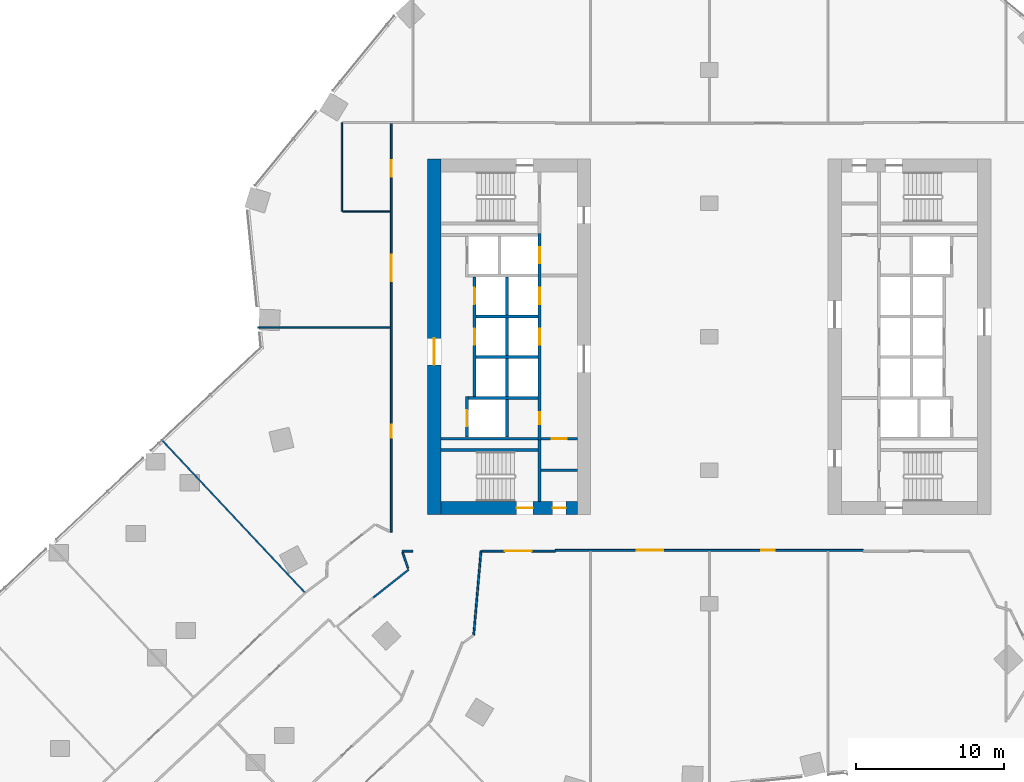
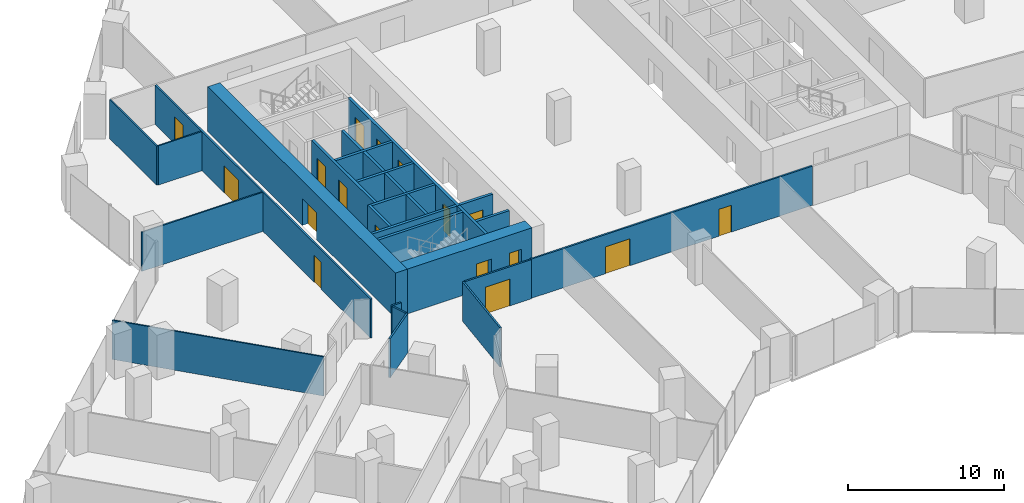
# One storey, part 28 of 34: 28 walls, 17 doors, 17 openings.
"""IFC4 building model written with IfcOpenShell, lengths in metres."""

import ifcopenshell
import ifcopenshell.guid

model = None  # the IFC model being written
_history = None  # IfcOwnerHistory: only IFC2X3 demands one
_inside = {}  # id of a spatial element -> (the spatial element, [elements in it])
_under = {}  # id of a project, library or spatial element -> (it, [spatial elements below it])
_declared = {}  # id of a project -> (the project, [libraries it declares])
_typed = {}  # id of a type object -> (the type object, [elements of that type])
_made_of = {}  # id of a material, layer set ... -> (it, [elements and type objects made of it])


def new_model(schema):
    """Start an empty IFC model of exactly this schema.

    Asked for "IFC4X3", IfcOpenShell would pick the latest addendum, in which some entities
    have other attributes; the version numbers below select the first issue.
    IFC2X3 requires an IfcOwnerHistory on every rooted entity: one is made here for all.
    """
    global model, _history
    if schema == "IFC4X3":
        model = ifcopenshell.file(schema_version=(4, 3, 0, 0))
    else:
        model = ifcopenshell.file(schema=schema)
    _inside.clear()
    _under.clear()
    _declared.clear()
    _typed.clear()
    _made_of.clear()
    _history = None
    if model.schema == "IFC2X3":
        org = make("IfcOrganization", Name="unknown")
        user = make(
            "IfcPersonAndOrganization",
            ThePerson=make("IfcPerson", FamilyName="unknown"),
            TheOrganization=org,
        )
        app = make(
            "IfcApplication",
            ApplicationDeveloper=org,
            Version="unknown",
            ApplicationFullName="unknown",
            ApplicationIdentifier="unknown",
        )
        _history = make(
            "IfcOwnerHistory",
            OwningUser=user,
            OwningApplication=app,
            ChangeAction="ADDED",
            CreationDate=0,
        )
    return model


def make(cls, **values):
    """One entity of the class cls with the attributes given. An attribute that is None is left unset."""
    return model.create_entity(
        cls, **{name: value for name, value in values.items() if value is not None}
    )


def rooted(cls, **values):
    """An entity with a GlobalId (a new one), such as an element, a storey or a relation."""
    return make(cls, GlobalId=ifcopenshell.guid.new(), OwnerHistory=_history, **values)


def si_unit(unit_type, name, prefix=None):
    """IfcSIUnit, for example si_unit("LENGTHUNIT", "METRE", prefix="MILLI")."""
    return make("IfcSIUnit", UnitType=unit_type, Prefix=prefix, Name=name)


def assignment(units):
    """IfcUnitAssignment: the units of a project."""
    return None if units is None else make("IfcUnitAssignment", Units=units)


def point(xyz):
    """IfcCartesianPoint."""
    return None if xyz is None else make("IfcCartesianPoint", Coordinates=xyz)


def direction(xyz):
    """IfcDirection."""
    return None if xyz is None else make("IfcDirection", DirectionRatios=xyz)


def frame(location, z_axis=None, x_axis=None):
    """IfcAxis2Placement3D, a coordinate frame: its origin and axes. An axis left out is left unset."""
    return make(
        "IfcAxis2Placement3D",
        Location=point(location),
        Axis=direction(z_axis),
        RefDirection=direction(x_axis),
    )


def frame_2d(location, x_axis=None):
    """IfcAxis2Placement2D, a coordinate frame in the plane: its origin and x axis."""
    return make(
        "IfcAxis2Placement2D", Location=point(location), RefDirection=direction(x_axis)
    )


def origin():
    """The frame at (0, 0, 0) with its axes left unset."""
    return frame((0.0, 0.0, 0.0))


def place(relative_to, where):
    """IfcLocalPlacement: puts the frame where relative to a parent placement (None: the world)."""
    return make(
        "IfcLocalPlacement", PlacementRelTo=relative_to, RelativePlacement=where
    )


def context(
    kind, dimensions, precision=None, world=None, true_north=None, identifier=None
):
    """IfcGeometricRepresentationContext, for example the 3D "Model" context."""
    return make(
        "IfcGeometricRepresentationContext",
        ContextIdentifier=identifier,
        ContextType=kind,
        CoordinateSpaceDimension=dimensions,
        Precision=precision,
        WorldCoordinateSystem=world,
        TrueNorth=true_north,
    )


def subcontext(parent, identifier, kind, view, scale=None):
    """IfcGeometricRepresentationSubContext, for example "Body" below "Model"."""
    return make(
        "IfcGeometricRepresentationSubContext",
        ContextIdentifier=identifier,
        ContextType=kind,
        ParentContext=parent,
        TargetScale=scale,
        TargetView=view,
    )


def project(units=None, contexts=None):
    """IfcProject with its units and contexts."""
    return rooted(
        "IfcProject",
        Name="project",
        RepresentationContexts=contexts,
        UnitsInContext=assignment(units),
    )


def spatial(cls, under=None, at=None, **own):
    """A site, building, storey or space (cls), placed at a placement, below another one or the project."""
    s = rooted(cls, ObjectPlacement=at, **own)
    if under is not None:
        _under.setdefault(under.id(), (under, []))[1].append(s)
    return s


def profile(cls, at=None, kind="AREA", **sizes):
    """A parametric profile (cls). Its sizes go by their IFC names, for example OverallWidth=200.0."""
    return make(cls, ProfileType=kind, Position=at, **sizes)


def rectangle(**sizes):
    """IfcRectangleProfileDef."""
    return profile("IfcRectangleProfileDef", **sizes)


def extrude(swept, where, along, depth):
    """IfcExtrudedAreaSolid: the profile swept, set in the frame where, extruded along a direction by depth."""
    return make(
        "IfcExtrudedAreaSolid",
        SweptArea=swept,
        Position=where,
        ExtrudedDirection=direction(along),
        Depth=depth,
    )


def shape(context_of_items, identifier, shape_type, items):
    """IfcShapeRepresentation: the items that make up one representation, for example the "Body"."""
    return make(
        "IfcShapeRepresentation",
        ContextOfItems=context_of_items,
        RepresentationIdentifier=identifier,
        RepresentationType=shape_type,
        Items=items,
    )


def material(Name=None, Category=None):
    """IfcMaterial."""
    return make("IfcMaterial", Name=Name, Category=Category)


def layer(
    of_material, thickness, ventilated=None, Name=None, Category=None, Priority=None
):
    """IfcMaterialLayer: one layer of a wall or slab, of a material (None: an air gap)."""
    return make(
        "IfcMaterialLayer",
        Material=of_material,
        LayerThickness=thickness,
        IsVentilated=ventilated,
        Name=Name,
        Category=Category,
        Priority=Priority,
    )


def layer_set(layers, Name=None):
    """IfcMaterialLayerSet."""
    return make("IfcMaterialLayerSet", MaterialLayers=layers, LayerSetName=Name)


def made_of(thing, what):
    """Note that an element or type object is made of a material, layer set ...; save() writes the relation."""
    if what is not None:
        _made_of.setdefault(what.id(), (what, []))[1].append(thing)
    return thing


def type_object(cls, material=None, **own):
    """A type object (cls), such as IfcWallType, which elements share."""
    return made_of(rooted(cls, **own), material)


def element(
    cls,
    number,
    at=None,
    inside=None,
    cuts=None,
    type_object=None,
    material=None,
    context=None,
    identifier="Body",
    shape_type=None,
    held_by="IfcProductDefinitionShape",
    body=None,
    shapes=None,
    **own,
):
    """One element of the class cls, such as IfcWall. Its Tag is "e" and its number.

    at: its placement. inside: the storey or other place that contains it. cuts: it is an
    opening in that element (IfcRelVoidsElement). A single representation is given by context,
    identifier, shape_type and body (its items); several are given by shapes. held_by: the class
    of the entity that holds the representations. save() writes the other relations.
    """
    e = rooted(cls, Tag="e%d" % number, ObjectPlacement=at, **own)
    if body is not None:
        shapes = [shape(context, identifier, shape_type, body)]
    if shapes is not None:
        e.Representation = make(held_by, Representations=shapes)
    if inside is not None:
        _inside.setdefault(inside.id(), (inside, []))[1].append(e)
    if cuts is not None:
        rooted(
            "IfcRelVoidsElement", RelatingBuildingElement=cuts, RelatedOpeningElement=e
        )
    if type_object is not None:
        _typed.setdefault(type_object.id(), (type_object, []))[1].append(e)
    return made_of(e, material)


def fill(opening, filler):
    """IfcRelFillsElement: the door or window that sits in an opening."""
    return rooted(
        "IfcRelFillsElement",
        RelatingOpeningElement=opening,
        RelatedBuildingElement=filler,
    )


def aggregate(whole, parts):
    """IfcRelAggregates: a whole, such as a stair, and the parts it consists of."""
    return rooted("IfcRelAggregates", RelatingObject=whole, RelatedObjects=parts)


def save(model, path):
    """Write the relations noted so far, then the file.

    IfcRelAggregates (storeys below a building ...), IfcRelContainedInSpatialStructure (elements
    in a storey), IfcRelDefinesByType, IfcRelAssociatesMaterial and IfcRelDeclares: one each for
    every whole, place, type object, material and project.
    """
    for whole, parts in _under.values():
        aggregate(whole, parts)
    for where, things in _inside.values():
        rooted(
            "IfcRelContainedInSpatialStructure",
            RelatedElements=things,
            RelatingStructure=where,
        )
    for kind, things in _typed.values():
        rooted("IfcRelDefinesByType", RelatedObjects=things, RelatingType=kind)
    for what, things in _made_of.values():
        rooted("IfcRelAssociatesMaterial", RelatedObjects=things, RelatingMaterial=what)
    for by, libraries in _declared.values():
        rooted("IfcRelDeclares", RelatingContext=by, RelatedDefinitions=libraries)
    model.write(path)


model = new_model("IFC4")

# Units and contexts
model_context = context("Model", 3, precision=1e-05, world=origin(), true_north=direction((0.0, 1.0)))
body_context = subcontext(model_context, "Body", "Model", "MODEL_VIEW")
ifc_project = project(units=[si_unit("LENGTHUNIT", "METRE"), si_unit("AREAUNIT", "SQUARE_METRE"), si_unit("VOLUMEUNIT", "CUBIC_METRE"), si_unit("PLANEANGLEUNIT", "RADIAN"), si_unit("MASSUNIT", "GRAM", prefix="KILO")], contexts=[model_context])

# Site, building, storey
site_placement = place(None, origin())
site = spatial("IfcSite", under=ifc_project, at=site_placement, CompositionType="ELEMENT")
building_placement = place(site_placement, origin())
building = spatial("IfcBuilding", under=site, at=building_placement, Name="Orlundy Tower", CompositionType="ELEMENT")
storey_placement = place(building_placement, frame((0.0, 0.0, 44.300048828125)))
storey = spatial("IfcBuildingStorey", under=building, at=storey_placement, Name="L09", CompositionType="ELEMENT", Elevation=44.300048828125)

# Wall, openings, doors
ifc_material_1 = material(Name="Concrete C80/95", Category="concrete")
ifc_layer_1 = layer(ifc_material_1, 0.89990234375)
ifc_layer_set_1 = layer_set([ifc_layer_1], Name="CORE WALL 900 C80/95")
wall_type_1 = type_object("IfcWallType", Name="CORE WALL 900 C80/95", PredefinedType="SHEAR", material=ifc_layer_set_1)
wall_1_placement = place(storey_placement, frame((-18.10009765625, -11.550048828125, 0.0), z_axis=(0.0, 0.0, 1.0), x_axis=(1.0, 0.0, 0.0)))
wall_1 = element("IfcWall", 1, at=wall_1_placement, inside=storey, type_object=wall_type_1, Name="Core wall W-S L09", PredefinedType="SHEAR", context=body_context, shape_type="SweptSolid", body=[
    extrude(rectangle(XDim=9.2001953125, YDim=0.89990234375, at=frame_2d((4.60009765625, 0.0))), origin(), (0.0, 0.0, 1.0), 3.5),
])
opening_1_placement = place(wall_1_placement, frame((5.10009765625, 0.0, 0.0)))
opening_1 = element("IfcOpeningElement", 2, at=opening_1_placement, cuts=wall_1, Name="Opening 09013", PredefinedType="OPENING", context=body_context, shape_type="SweptSolid", body=[
    extrude(rectangle(XDim=1.10009765625, YDim=2.10009765625, at=frame_2d((0.550048828125, 1.050048828125))), frame((0.0, 0.4599609375, 0.0), z_axis=(0.0, -1.0, 0.0), x_axis=(1.0, 0.0, 0.0)), (0.0, 0.0, 1.0), 0.919921875),
])
opening_2_placement = place(wall_1_placement, frame((7.530029296875, 0.0, 0.0)))
opening_2 = element("IfcOpeningElement", 3, at=opening_2_placement, cuts=wall_1, Name="Opening 09015", PredefinedType="OPENING", context=body_context, shape_type="SweptSolid", body=[
    extrude(rectangle(XDim=0.89990234375, YDim=2.10009765625, at=frame_2d((0.449951171875, 1.050048828125))), frame((0.0, 0.4599609375, 0.0), z_axis=(0.0, -1.0, 0.0), x_axis=(1.0, 0.0, 0.0)), (0.0, 0.0, 1.0), 0.919921875),
])
ifc_material_2 = material(Name="Timber door set", Category="wood")
door_type_1 = type_object("IfcDoorType", Name="Room Door 900x2100", OperationType="SINGLE_SWING_LEFT", PredefinedType="DOOR", material=ifc_material_2)
door_1_placement = place(opening_2_placement, origin())
door_1 = element("IfcDoor", 4, at=door_1_placement, inside=storey, type_object=door_type_1, Name="Store door 09015", OperationType="SINGLE_SWING_RIGHT", OverallHeight=2.10009765625, OverallWidth=0.89990234375, PredefinedType="DOOR", context=body_context, shape_type="SweptSolid", body=[
    extrude(rectangle(XDim=0.89990234375, YDim=2.10009765625, at=frame_2d((0.449951171875, 1.050048828125))), frame((0.0, 0.02490234375, 0.0), z_axis=(0.0, -1.0, 0.0), x_axis=(1.0, 0.0, 0.0)), (0.0, 0.0, 1.0), 0.050048828125),
])
fill(opening_2, door_1)
ifc_material_3 = material(Name="Steel door set", Category="steel")
door_type_2 = type_object("IfcDoorType", Name="Stair Door 1100x2100", OperationType="SINGLE_SWING_LEFT", PredefinedType="DOOR", material=ifc_material_3)
door_2_placement = place(opening_1_placement, origin())
door_2 = element("IfcDoor", 5, at=door_2_placement, inside=storey, type_object=door_type_2, Name="Stair door 09013", OperationType="SINGLE_SWING_RIGHT", OverallHeight=2.10009765625, OverallWidth=1.10009765625, PredefinedType="DOOR", context=body_context, shape_type="SweptSolid", body=[
    extrude(rectangle(XDim=1.10009765625, YDim=2.10009765625, at=frame_2d((0.550048828125, 1.050048828125))), frame((0.0, 0.02490234375, 0.0), z_axis=(0.0, -1.0, 0.0), x_axis=(1.0, 0.0, 0.0)), (0.0, 0.0, 1.0), 0.050048828125),
])
fill(opening_1, door_2)

# Wall, opening, door
wall_2_placement = place(storey_placement, frame((-18.550048828125, -12.0, 0.0), z_axis=(0.0, 0.0, 1.0), x_axis=(0.0, 1.0, 0.0)))
wall_2 = element("IfcWall", 6, at=wall_2_placement, inside=storey, type_object=wall_type_1, Name="Core wall W-W L09", PredefinedType="SHEAR", context=body_context, shape_type="SweptSolid", body=[
    extrude(rectangle(XDim=24.0, YDim=0.89990234375, at=frame_2d((12.0, 0.0))), origin(), (0.0, 0.0, 1.0), 3.5),
])
opening_3_placement = place(wall_2_placement, frame((10.10009765625, 0.0, 0.0)))
opening_3 = element("IfcOpeningElement", 7, at=opening_3_placement, cuts=wall_2, Name="Opening 09010", PredefinedType="OPENING", context=body_context, shape_type="SweptSolid", body=[
    extrude(rectangle(XDim=1.800048828125, YDim=2.10009765625, at=frame_2d((0.89990234375, 1.050048828125))), frame((0.0, 0.4599609375, 0.0), z_axis=(0.0, -1.0, 0.0), x_axis=(1.0, 0.0, 0.0)), (0.0, 0.0, 1.0), 0.919921875),
])
ifc_material_4 = material(Name="Timber door set", Category="wood")
door_type_3 = type_object("IfcDoorType", Name="Lobby Door 1800x2100", OperationType="DOUBLE_DOOR_DOUBLE_SWING", PredefinedType="DOOR", material=ifc_material_4)
door_3_placement = place(opening_3_placement, origin())
door_3 = element("IfcDoor", 8, at=door_3_placement, inside=storey, type_object=door_type_3, Name="Lift lobby door 09010", OperationType="SINGLE_SWING_LEFT", OverallHeight=2.10009765625, OverallWidth=1.800048828125, PredefinedType="DOOR", context=body_context, shape_type="SweptSolid", body=[
    extrude(rectangle(XDim=1.800048828125, YDim=2.10009765625, at=frame_2d((0.89990234375, 1.050048828125))), frame((0.0, 0.02490234375, 0.0), z_axis=(0.0, -1.0, 0.0), x_axis=(1.0, 0.0, 0.0)), (0.0, 0.0, 1.0), 0.050048828125),
])
fill(opening_3, door_3)

# Walls
ifc_material_5 = material(Name="Gypsum board partition")
ifc_layer_2 = layer(ifc_material_5, 0.10009765625)
ifc_layer_set_2 = layer_set([ifc_layer_2], Name="Floor partition 100")
wall_type_2 = type_object("IfcWallType", Name="Floor partition 100", PredefinedType="PARTITIONING", material=ifc_layer_set_2)
wall_3_placement = place(storey_placement, frame((-36.969970703125, -6.912109375, 0.0), z_axis=(0.0, 0.0, 1.0), x_axis=(0.684148478852, -0.729342758163, 0.0)))
element("IfcWall", 9, at=wall_3_placement, inside=storey, type_object=wall_type_2, Name="wall-int-L09-016", PredefinedType="PARTITIONING", context=body_context, shape_type="SweptSolid", body=[
    extrude(rectangle(XDim=14.13720703125, YDim=0.10009765625, at=frame_2d((7.068603515625, 0.0))), origin(), (0.0, 0.0, 1.0), 3.06005859375),
])
wall_4_placement = place(storey_placement, frame((-30.4619140625, 0.635986328125, 0.0), z_axis=(0.0, 0.0, 1.0), x_axis=(1.0, 0.0, 0.0)))
element("IfcWall", 10, at=wall_4_placement, inside=storey, type_object=wall_type_2, Name="wall-int-L09-038", PredefinedType="PARTITIONING", context=body_context, shape_type="SweptSolid", body=[
    extrude(rectangle(XDim=8.949951171875, YDim=0.10009765625, at=frame_2d((4.47509765625, 0.0))), origin(), (0.0, 0.0, 1.0), 3.06005859375),
])
wall_5_placement = place(storey_placement, frame((-24.73193359375, 8.448974609375, 0.0), z_axis=(0.0, 0.0, 1.0), x_axis=(1.0, 0.0, 0.0)))
element("IfcWall", 11, at=wall_5_placement, inside=storey, type_object=wall_type_2, Name="wall-int-L09-040", PredefinedType="PARTITIONING", context=body_context, shape_type="SweptSolid", body=[
    extrude(rectangle(XDim=3.219970703125, YDim=0.10009765625, at=frame_2d((1.60986328125, 0.0))), origin(), (0.0, 0.0, 1.0), 3.06005859375),
])
wall_6_placement = place(storey_placement, frame((-24.781982421875, 8.448974609375, 0.0), z_axis=(0.0, 0.0, 1.0), x_axis=(0.0, 1.0, 0.0)))
element("IfcWall", 12, at=wall_6_placement, inside=storey, type_object=wall_type_2, Name="wall-int-L09-086", PredefinedType="PARTITIONING", context=body_context, shape_type="SweptSolid", body=[
    extrude(rectangle(XDim=6.0, YDim=0.10009765625, at=frame_2d((3.0, 0.0))), origin(), (0.0, 0.0, 1.0), 3.06005859375),
])
ifc_material_6 = material(Name="Gypsum board partition, double layer")
ifc_layer_3 = layer(ifc_material_6, 0.125)
ifc_layer_set_3 = layer_set([ifc_layer_3], Name="Floor partition 125")
wall_type_3 = type_object("IfcWallType", Name="Floor partition 125", PredefinedType="PARTITIONING", material=ifc_layer_set_3)
wall_7_placement = place(storey_placement, frame((-20.68408203125, -14.54296875, 0.0), z_axis=(0.0, 0.0, 1.0), x_axis=(0.32765097617, -0.944798834575, 0.0)))
element("IfcWall", 13, at=wall_7_placement, inside=storey, type_object=wall_type_3, Name="wall-int-L09-001", PredefinedType="PARTITIONING", context=body_context, shape_type="SweptSolid", body=[
    extrude(rectangle(XDim=1.132568359375, YDim=0.125, at=frame_2d((0.56640625, 0.0))), origin(), (0.0, 0.0, 1.0), 3.06005859375),
])
wall_8_placement = place(storey_placement, frame((-20.715087890625, -14.450927734375, 0.0), z_axis=(0.0, 0.0, 1.0), x_axis=(1.0, 0.0, 0.0)))
element("IfcWall", 14, at=wall_8_placement, inside=storey, type_object=wall_type_3, Name="wall-int-L09-033", PredefinedType="PARTITIONING", context=body_context, shape_type="SweptSolid", body=[
    extrude(rectangle(XDim=0.715087890625, YDim=0.125, at=frame_2d((0.357421875, 0.0))), origin(), (0.0, 0.0, 1.0), 3.06005859375),
])

# Wall, opening, door
wall_9_placement = place(storey_placement, frame((-10.39111328125, -14.450927734375, 0.0), z_axis=(0.0, 0.0, 1.0), x_axis=(-1.0, 0.0, 0.0)))
wall_9 = element("IfcWall", 15, at=wall_9_placement, inside=storey, type_object=wall_type_3, Name="wall-int-L09-034", PredefinedType="PARTITIONING", context=body_context, shape_type="SweptSolid", body=[
    extrude(rectangle(XDim=4.94677734375, YDim=0.125, at=frame_2d((2.473388671875, 0.0))), origin(), (0.0, 0.0, 1.0), 3.06005859375),
])
opening_4_placement = place(wall_9_placement, frame((1.60009765625, 0.0, 0.0)))
opening_4 = element("IfcOpeningElement", 16, at=opening_4_placement, cuts=wall_9, Name="Opening 09124", PredefinedType="OPENING", context=body_context, shape_type="SweptSolid", body=[
    extrude(rectangle(XDim=1.800048828125, YDim=2.10009765625, at=frame_2d((0.89990234375, 1.050048828125))), frame((0.0, 0.072509765625, 0.0), z_axis=(0.0, -1.0, 0.0), x_axis=(1.0, 0.0, 0.0)), (0.0, 0.0, 1.0), 0.14501953125),
])
ifc_material_7 = material(Name="Timber door leaf", Category="wood")
door_type_4 = type_object("IfcDoorType", Name="Floor door double 1800 FD30S", OperationType="NOTDEFINED", PredefinedType="DOOR", material=ifc_material_7)
door_4_placement = place(opening_4_placement, origin())
door_4 = element("IfcDoor", 17, at=door_4_placement, inside=storey, type_object=door_type_4, Name="Door 09124", OperationType="DOUBLE_DOOR_SINGLE_SWING", OverallHeight=2.10009765625, OverallWidth=1.800048828125, PredefinedType="DOOR", context=body_context, shape_type="SweptSolid", body=[
    extrude(rectangle(XDim=1.800048828125, YDim=2.10009765625, at=frame_2d((0.89990234375, 1.050048828125))), frame((0.0, 0.02490234375, 0.0), z_axis=(0.0, -1.0, 0.0), x_axis=(1.0, 0.0, 0.0)), (0.0, 0.0, 1.0), 0.050048828125),
])
fill(opening_4, door_4)

# Wall, openings, doors
wall_10_placement = place(storey_placement, frame((10.39111328125, -14.40087890625, 0.0), z_axis=(0.0, 0.0, 1.0), x_axis=(-1.0, 0.0, 0.0)))
wall_10 = element("IfcWall", 18, at=wall_10_placement, inside=storey, type_object=wall_type_3, Name="wall-int-L09-037", PredefinedType="PARTITIONING", context=body_context, shape_type="SweptSolid", body=[
    extrude(rectangle(XDim=20.781005859375, YDim=0.125, at=frame_2d((10.390625, 0.0))), origin(), (0.0, 0.0, 1.0), 3.06005859375),
])
opening_5_placement = place(wall_10_placement, frame((13.490966796875, 0.0, 0.0)))
opening_5 = element("IfcOpeningElement", 19, at=opening_5_placement, cuts=wall_10, Name="Opening 09125", PredefinedType="OPENING", context=body_context, shape_type="SweptSolid", body=[
    extrude(rectangle(XDim=1.800048828125, YDim=2.10009765625, at=frame_2d((0.89990234375, 1.050048828125))), frame((0.0, 0.072509765625, 0.0), z_axis=(0.0, -1.0, 0.0), x_axis=(1.0, 0.0, 0.0)), (0.0, 0.0, 1.0), 0.14501953125),
])
opening_6_placement = place(wall_10_placement, frame((5.990966796875, 0.0, 0.0)))
opening_6 = element("IfcOpeningElement", 20, at=opening_6_placement, cuts=wall_10, Name="Opening 09126", PredefinedType="OPENING", context=body_context, shape_type="SweptSolid", body=[
    extrude(rectangle(XDim=0.89990234375, YDim=2.10009765625, at=frame_2d((0.449951171875, 1.050048828125))), frame((0.0, 0.072509765625, 0.0), z_axis=(0.0, -1.0, 0.0), x_axis=(1.0, 0.0, 0.0)), (0.0, 0.0, 1.0), 0.14501953125),
])
door_5_placement = place(opening_5_placement, origin())
door_5 = element("IfcDoor", 21, at=door_5_placement, inside=storey, type_object=door_type_4, Name="Door 09125", OperationType="DOUBLE_DOOR_SINGLE_SWING", OverallHeight=2.10009765625, OverallWidth=1.800048828125, PredefinedType="DOOR", context=body_context, shape_type="SweptSolid", body=[
    extrude(rectangle(XDim=1.800048828125, YDim=2.10009765625, at=frame_2d((0.89990234375, 1.050048828125))), frame((0.0, 0.02490234375, 0.0), z_axis=(0.0, -1.0, 0.0), x_axis=(1.0, 0.0, 0.0)), (0.0, 0.0, 1.0), 0.050048828125),
])
fill(opening_5, door_5)
ifc_material_8 = material(Name="Timber door leaf", Category="wood")
door_type_5 = type_object("IfcDoorType", Name="Floor door single 900 FD30S", OperationType="NOTDEFINED", PredefinedType="DOOR", material=ifc_material_8)
door_6_placement = place(opening_6_placement, origin())
door_6 = element("IfcDoor", 22, at=door_6_placement, inside=storey, type_object=door_type_5, Name="Door 09126", OperationType="SINGLE_SWING_LEFT", OverallHeight=2.10009765625, OverallWidth=0.89990234375, PredefinedType="DOOR", context=body_context, shape_type="SweptSolid", body=[
    extrude(rectangle(XDim=0.89990234375, YDim=2.10009765625, at=frame_2d((0.449951171875, 1.050048828125))), frame((0.0, 0.02490234375, 0.0), z_axis=(0.0, -1.0, 0.0), x_axis=(1.0, 0.0, 0.0)), (0.0, 0.0, 1.0), 0.050048828125),
])
fill(opening_6, door_6)

# Walls
wall_11_placement = place(storey_placement, frame((-22.653076171875, -17.580078125, 0.0), z_axis=(0.0, 0.0, 1.0), x_axis=(0.784758802797, 0.619801275759, 0.0)))
element("IfcWall", 23, at=wall_11_placement, inside=storey, type_object=wall_type_3, Name="wall-int-L09-047", PredefinedType="PARTITIONING", context=body_context, shape_type="SweptSolid", body=[
    extrude(rectangle(XDim=3.025146484375, YDim=0.125, at=frame_2d((1.5126953125, 0.0))), origin(), (0.0, 0.0, 1.0), 3.06005859375),
])
wall_12_placement = place(storey_placement, frame((-15.89111328125, -20.113037109375, 0.0), z_axis=(0.0, 0.0, 1.0), x_axis=(0.086555508175, 0.996247029609, 0.0)))
element("IfcWall", 24, at=wall_12_placement, inside=storey, type_object=wall_type_3, Name="wall-int-L09-073", PredefinedType="PARTITIONING", context=body_context, shape_type="SweptSolid", body=[
    extrude(rectangle(XDim=5.686279296875, YDim=0.125, at=frame_2d((2.84326171875, 0.0))), origin(), (0.0, 0.0, 1.0), 3.06005859375),
])

# Wall, openings, doors
wall_13_placement = place(storey_placement, frame((-21.449951171875, -13.175048828125, 0.0), z_axis=(0.0, 0.0, 1.0), x_axis=(0.0, 1.0, 0.0)))
wall_13 = element("IfcWall", 25, at=wall_13_placement, inside=storey, type_object=wall_type_3, Name="wall-int-L09-085", PredefinedType="PARTITIONING", context=body_context, shape_type="SweptSolid", body=[
    extrude(rectangle(XDim=27.56103515625, YDim=0.125, at=frame_2d((13.780517578125, 0.0))), origin(), (0.0, 0.0, 1.0), 3.06005859375),
])
opening_7_placement = place(wall_13_placement, frame((6.35009765625, 0.0, 0.0)))
opening_7 = element("IfcOpeningElement", 26, at=opening_7_placement, cuts=wall_13, Name="Opening 09122", PredefinedType="OPENING", context=body_context, shape_type="SweptSolid", body=[
    extrude(rectangle(XDim=0.89990234375, YDim=2.10009765625, at=frame_2d((0.449951171875, 1.050048828125))), frame((0.0, 0.072509765625, 0.0), z_axis=(0.0, -1.0, 0.0), x_axis=(1.0, 0.0, 0.0)), (0.0, 0.0, 1.0), 0.14501953125),
])
opening_8_placement = place(wall_13_placement, frame((16.910888671875, 0.0, 0.0)))
opening_8 = element("IfcOpeningElement", 27, at=opening_8_placement, cuts=wall_13, Name="Opening 09135", PredefinedType="OPENING", context=body_context, shape_type="SweptSolid", body=[
    extrude(rectangle(XDim=1.800048828125, YDim=2.10009765625, at=frame_2d((0.89990234375, 1.050048828125))), frame((0.0, 0.072509765625, 0.0), z_axis=(0.0, -1.0, 0.0), x_axis=(1.0, 0.0, 0.0)), (0.0, 0.0, 1.0), 0.14501953125),
])
opening_9_placement = place(wall_13_placement, frame((23.97412109375, 0.0, 0.0)))
opening_9 = element("IfcOpeningElement", 28, at=opening_9_placement, cuts=wall_13, Name="Opening 09136", PredefinedType="OPENING", context=body_context, shape_type="SweptSolid", body=[
    extrude(rectangle(XDim=1.10009765625, YDim=2.10009765625, at=frame_2d((0.550048828125, 1.050048828125))), frame((0.0, 0.072509765625, 0.0), z_axis=(0.0, -1.0, 0.0), x_axis=(1.0, 0.0, 0.0)), (0.0, 0.0, 1.0), 0.14501953125),
])
door_7_placement = place(opening_8_placement, origin())
door_7 = element("IfcDoor", 29, at=door_7_placement, inside=storey, type_object=door_type_4, Name="Door 09135", OperationType="DOUBLE_DOOR_SINGLE_SWING", OverallHeight=2.10009765625, OverallWidth=1.800048828125, PredefinedType="DOOR", context=body_context, shape_type="SweptSolid", body=[
    extrude(rectangle(XDim=1.800048828125, YDim=2.10009765625, at=frame_2d((0.89990234375, 1.050048828125))), frame((0.0, 0.02490234375, 0.0), z_axis=(0.0, -1.0, 0.0), x_axis=(1.0, 0.0, 0.0)), (0.0, 0.0, 1.0), 0.050048828125),
])
fill(opening_8, door_7)
door_8_placement = place(opening_7_placement, origin())
door_8 = element("IfcDoor", 30, at=door_8_placement, inside=storey, type_object=door_type_5, Name="Door 09122", OperationType="SINGLE_SWING_LEFT", OverallHeight=2.10009765625, OverallWidth=0.89990234375, PredefinedType="DOOR", context=body_context, shape_type="SweptSolid", body=[
    extrude(rectangle(XDim=0.89990234375, YDim=2.10009765625, at=frame_2d((0.449951171875, 1.050048828125))), frame((0.0, 0.02490234375, 0.0), z_axis=(0.0, -1.0, 0.0), x_axis=(1.0, 0.0, 0.0)), (0.0, 0.0, 1.0), 0.050048828125),
])
fill(opening_7, door_8)
ifc_material_9 = material(Name="Timber door leaf", Category="wood")
door_type_6 = type_object("IfcDoorType", Name="Floor door xwide 1100 FD30S", OperationType="NOTDEFINED", PredefinedType="DOOR", material=ifc_material_9)
door_9_placement = place(opening_9_placement, origin())
door_9 = element("IfcDoor", 31, at=door_9_placement, inside=storey, type_object=door_type_6, Name="Door 09136", OperationType="SINGLE_SWING_RIGHT", OverallHeight=2.10009765625, OverallWidth=1.10009765625, PredefinedType="DOOR", context=body_context, shape_type="SweptSolid", body=[
    extrude(rectangle(XDim=1.10009765625, YDim=2.10009765625, at=frame_2d((0.550048828125, 1.050048828125))), frame((0.0, 0.02490234375, 0.0), z_axis=(0.0, -1.0, 0.0), x_axis=(1.0, 0.0, 0.0)), (0.0, 0.0, 1.0), 0.050048828125),
])
fill(opening_9, door_9)

# Walls
ifc_material_10 = material(Name="Concrete C40/50", Category="concrete")
ifc_layer_4 = layer(ifc_material_10, 0.199951171875)
ifc_layer_set_4 = layer_set([ifc_layer_4], Name="Load-bearing Shaft Wall 200")
wall_type_4 = type_object("IfcWallType", Name="Load-bearing Shaft Wall 200", PredefinedType="SOLIDWALL", material=ifc_layer_set_4)
wall_14_placement = place(storey_placement, frame((-11.43994140625, -11.10009765625, 0.0), z_axis=(0.0, 0.0, 1.0), x_axis=(0.0, 1.0, 0.0)))
element("IfcWall", 32, at=wall_14_placement, inside=storey, type_object=wall_type_4, Name="Shaft wall W09-stair-end-s", PredefinedType="SOLIDWALL", context=body_context, shape_type="SweptSolid", body=[
    extrude(rectangle(XDim=4.125, YDim=0.199951171875, at=frame_2d((2.0625, 0.0))), origin(), (0.0, 0.0, 1.0), 3.079833984375),
])
wall_15_placement = place(storey_placement, frame((-11.5400390625, -7.64990234375, 0.0), z_axis=(0.0, 0.0, 1.0), x_axis=(-1.0, 0.0, 0.0)))
element("IfcWall", 33, at=wall_15_placement, inside=storey, type_object=wall_type_4, Name="Shaft wall W09-stair-side-s", PredefinedType="SOLIDWALL", context=body_context, shape_type="SweptSolid", body=[
    extrude(rectangle(XDim=6.56005859375, YDim=0.199951171875, at=frame_2d((3.280029296875, 0.0))), origin(), (0.0, 0.0, 1.0), 3.079833984375),
])

# Wall, opening, door
ifc_material_11 = material(Name="Gypsum board partition on steel studs", Category="steel")
ifc_layer_5 = layer(ifc_material_11, 0.199951171875)
ifc_layer_set_5 = layer_set([ifc_layer_5], Name="Partition 200")
wall_type_5 = type_object("IfcWallType", Name="Partition 200", PredefinedType="PARTITIONING", material=ifc_layer_set_5)
wall_16_placement = place(storey_placement, frame((-8.89990234375, -6.875, 0.0), z_axis=(0.0, 0.0, 1.0), x_axis=(-1.0, 0.0, 0.0)))
wall_16 = element("IfcWall", 34, at=wall_16_placement, inside=storey, type_object=wall_type_5, Name="Partition wall W09-end-s", PredefinedType="PARTITIONING", context=body_context, shape_type="SweptSolid", body=[
    extrude(rectangle(XDim=2.440185546875, YDim=0.199951171875, at=frame_2d((1.22021484375, 0.0))), origin(), (0.0, 0.0, 1.0), 3.079833984375),
])
opening_10_placement = place(wall_16_placement, frame((0.719970703125, 0.0, 0.0)))
opening_10 = element("IfcOpeningElement", 35, at=opening_10_placement, cuts=wall_16, Name="Opening 09016", PredefinedType="OPENING", context=body_context, shape_type="SweptSolid", body=[
    extrude(rectangle(XDim=1.0, YDim=2.10009765625, at=frame_2d((0.5, 1.050048828125))), frame((0.0, 0.110107421875, 0.0), z_axis=(0.0, -1.0, 0.0), x_axis=(1.0, 0.0, 0.0)), (0.0, 0.0, 1.0), 0.22021484375),
])
ifc_material_12 = material(Name="Timber door set", Category="wood")
door_type_7 = type_object("IfcDoorType", Name="Accessible Door 1000x2100", OperationType="SINGLE_SWING_LEFT", PredefinedType="DOOR", material=ifc_material_12)
door_10_placement = place(opening_10_placement, origin())
door_10 = element("IfcDoor", 36, at=door_10_placement, inside=storey, type_object=door_type_7, Name="Accessible WC door 09016", OperationType="SINGLE_SWING_RIGHT", OverallHeight=2.10009765625, OverallWidth=1.0, PredefinedType="DOOR", context=body_context, shape_type="SweptSolid", body=[
    extrude(rectangle(XDim=1.0, YDim=2.10009765625, at=frame_2d((0.5, 1.050048828125))), frame((0.0, 0.02490234375, 0.0), z_axis=(0.0, -1.0, 0.0), x_axis=(1.0, 0.0, 0.0)), (0.0, 0.0, 1.0), 0.050048828125),
])
fill(opening_10, door_10)

# Walls
wall_17_placement = place(storey_placement, frame((-8.89990234375, -9.0, 0.0), z_axis=(0.0, 0.0, 1.0), x_axis=(-1.0, 0.0, 0.0)))
element("IfcWall", 37, at=wall_17_placement, inside=storey, type_object=wall_type_5, Name="Partition wall W09-room-s0", PredefinedType="PARTITIONING", context=body_context, shape_type="SweptSolid", body=[
    extrude(rectangle(XDim=2.440185546875, YDim=0.199951171875, at=frame_2d((1.22021484375, 0.0))), origin(), (0.0, 0.0, 1.0), 3.079833984375),
])
ifc_material_13 = material(Name="Fire-rated blockwork shaft wall", Category="masonry")
ifc_layer_6 = layer(ifc_material_13, 0.199951171875)
ifc_layer_set_6 = layer_set([ifc_layer_6], Name="Shaft Wall 200")
wall_type_6 = type_object("IfcWallType", Name="Shaft Wall 200", PredefinedType="SOLIDWALL", material=ifc_layer_set_6)
wall_18_placement = place(storey_placement, frame((-11.5400390625, -6.875, 0.0), z_axis=(0.0, 0.0, 1.0), x_axis=(-1.0, 0.0, 0.0)))
element("IfcWall", 38, at=wall_18_placement, inside=storey, type_object=wall_type_6, Name="Shaft wall W09-zone-s", PredefinedType="SOLIDWALL", context=body_context, shape_type="SweptSolid", body=[
    extrude(rectangle(XDim=6.56005859375, YDim=0.199951171875, at=frame_2d((3.280029296875, 0.0))), origin(), (0.0, 0.0, 1.0), 3.079833984375),
])
wall_19_placement = place(storey_placement, frame((-11.5400390625, -4.125, 0.0), z_axis=(0.0, 0.0, 1.0), x_axis=(-1.0, 0.0, 0.0)))
element("IfcWall", 39, at=wall_19_placement, inside=storey, type_object=wall_type_6, Name="Shaft wall W09-cross-4.125", PredefinedType="SOLIDWALL", context=body_context, shape_type="SweptSolid", body=[
    extrude(rectangle(XDim=4.699951171875, YDim=0.199951171875, at=frame_2d((2.35009765625, 0.0))), origin(), (0.0, 0.0, 1.0), 3.079833984375),
])
for number, where, z_axis, x_axis, name in (
    (40, (-11.5400390625, -1.375, 0.0), (0.0, 0.0, 1.0), (-1.0, 0.0, 0.0), "Shaft wall W09-cross-1.375"),
    (41, (-11.5400390625, 1.375, 0.0), (0.0, 0.0, 1.0), (-1.0, 0.0, 0.0), "Shaft wall W09-cross+1.375"),
):
    element("IfcWall", number, at=place(storey_placement, frame(where, z_axis=z_axis, x_axis=x_axis)), inside=storey, type_object=wall_type_6, Name=name, PredefinedType="SOLIDWALL", context=body_context, shape_type="SweptSolid", body=[
        extrude(rectangle(XDim=4.199951171875, YDim=0.199951171875, at=frame_2d((2.10009765625, 0.0))), origin(), (0.0, 0.0, 1.0), 3.079833984375),
    ])

# Wall, openings, doors
wall_20_placement = place(storey_placement, frame((-11.43994140625, -6.97509765625, 0.0), z_axis=(0.0, 0.0, 1.0), x_axis=(0.0, 1.0, 0.0)))
wall_20 = element("IfcWall", 42, at=wall_20_placement, inside=storey, type_object=wall_type_6, Name="Shaft wall W09-front-h", PredefinedType="SOLIDWALL", context=body_context, shape_type="SweptSolid", body=[
    extrude(rectangle(XDim=13.9501953125, YDim=0.199951171875, at=frame_2d((6.97509765625, 0.0))), origin(), (0.0, 0.0, 1.0), 3.079833984375),
])
opening_11_placement = place(wall_20_placement, frame((6.425048828125, 0.0, 0.0)))
opening_11 = element("IfcOpeningElement", 43, at=opening_11_placement, cuts=wall_20, Name="Opening 09002", PredefinedType="OPENING", context=body_context, shape_type="SweptSolid", body=[
    extrude(rectangle(XDim=1.10009765625, YDim=2.10009765625, at=frame_2d((0.550048828125, 1.050048828125))), frame((0.0, 0.110107421875, 0.0), z_axis=(0.0, -1.0, 0.0), x_axis=(1.0, 0.0, 0.0)), (0.0, 0.0, 1.0), 0.22021484375),
])
opening_12_placement = place(wall_20_placement, frame((9.175048828125, 0.0, 0.0)))
opening_12 = element("IfcOpeningElement", 44, at=opening_12_placement, cuts=wall_20, Name="Opening 09004", PredefinedType="OPENING", context=body_context, shape_type="SweptSolid", body=[
    extrude(rectangle(XDim=1.10009765625, YDim=2.10009765625, at=frame_2d((0.550048828125, 1.050048828125))), frame((0.0, 0.110107421875, 0.0), z_axis=(0.0, -1.0, 0.0), x_axis=(1.0, 0.0, 0.0)), (0.0, 0.0, 1.0), 0.22021484375),
])
opening_13_placement = place(wall_20_placement, frame((11.925048828125, 0.0, 0.0)))
opening_13 = element("IfcOpeningElement", 45, at=opening_13_placement, cuts=wall_20, Name="Opening 09006", PredefinedType="OPENING", context=body_context, shape_type="SweptSolid", body=[
    extrude(rectangle(XDim=1.10009765625, YDim=2.10009765625, at=frame_2d((0.550048828125, 1.050048828125))), frame((0.0, 0.110107421875, 0.0), z_axis=(0.0, -1.0, 0.0), x_axis=(1.0, 0.0, 0.0)), (0.0, 0.0, 1.0), 0.22021484375),
])
opening_14_placement = place(wall_20_placement, frame((1.074951171875, 0.0, 0.0)))
opening_14 = element("IfcOpeningElement", 46, at=opening_14_placement, cuts=wall_20, Name="Opening 09008", PredefinedType="OPENING", context=body_context, shape_type="SweptSolid", body=[
    extrude(rectangle(XDim=0.800048828125, YDim=2.10009765625, at=frame_2d((0.39990234375, 1.050048828125))), frame((0.0, 0.110107421875, 0.0), z_axis=(0.0, -1.0, 0.0), x_axis=(1.0, 0.0, 0.0)), (0.0, 0.0, 1.0), 0.22021484375),
])
ifc_material_14 = material(Name="Steel door set", Category="steel")
door_type_8 = type_object("IfcDoorType", Name="Landing Door 1100x2100", OperationType="DOUBLE_DOOR_SLIDING", PredefinedType="DOOR", material=ifc_material_14)
door_11_placement = place(opening_11_placement, origin())
door_11 = element("IfcDoor", 47, at=door_11_placement, inside=storey, type_object=door_type_8, Name="Lift landing door LP-05 09002", OperationType="DOUBLE_DOOR_SLIDING", OverallHeight=2.10009765625, OverallWidth=1.10009765625, PredefinedType="DOOR", context=body_context, shape_type="SweptSolid", body=[
    extrude(rectangle(XDim=1.10009765625, YDim=2.10009765625, at=frame_2d((0.550048828125, 1.050048828125))), frame((0.0, 0.02490234375, 0.0), z_axis=(0.0, -1.0, 0.0), x_axis=(1.0, 0.0, 0.0)), (0.0, 0.0, 1.0), 0.050048828125),
])
fill(opening_11, door_11)
door_12_placement = place(opening_12_placement, origin())
door_12 = element("IfcDoor", 48, at=door_12_placement, inside=storey, type_object=door_type_8, Name="Lift landing door LP-02 09004", OperationType="DOUBLE_DOOR_SLIDING", OverallHeight=2.10009765625, OverallWidth=1.10009765625, PredefinedType="DOOR", context=body_context, shape_type="SweptSolid", body=[
    extrude(rectangle(XDim=1.10009765625, YDim=2.10009765625, at=frame_2d((0.550048828125, 1.050048828125))), frame((0.0, 0.02490234375, 0.0), z_axis=(0.0, -1.0, 0.0), x_axis=(1.0, 0.0, 0.0)), (0.0, 0.0, 1.0), 0.050048828125),
])
fill(opening_12, door_12)
door_13_placement = place(opening_13_placement, origin())
door_13 = element("IfcDoor", 49, at=door_13_placement, inside=storey, type_object=door_type_8, Name="Lift landing door FL1 09006", OperationType="DOUBLE_DOOR_SLIDING", OverallHeight=2.10009765625, OverallWidth=1.10009765625, PredefinedType="DOOR", context=body_context, shape_type="SweptSolid", body=[
    extrude(rectangle(XDim=1.10009765625, YDim=2.10009765625, at=frame_2d((0.550048828125, 1.050048828125))), frame((0.0, 0.02490234375, 0.0), z_axis=(0.0, -1.0, 0.0), x_axis=(1.0, 0.0, 0.0)), (0.0, 0.0, 1.0), 0.050048828125),
])
fill(opening_13, door_13)
ifc_material_15 = material(Name="Timber door set", Category="wood")
door_type_9 = type_object("IfcDoorType", Name="Riser Door 800x2100", OperationType="SINGLE_SWING_LEFT", PredefinedType="DOOR", material=ifc_material_15)
door_14_placement = place(opening_14_placement, origin())
door_14 = element("IfcDoor", 50, at=door_14_placement, inside=storey, type_object=door_type_9, Name="Electrical Riser Room door 09008", OperationType="SINGLE_SWING_LEFT", OverallHeight=2.10009765625, OverallWidth=0.800048828125, PredefinedType="DOOR", context=body_context, shape_type="SweptSolid", body=[
    extrude(rectangle(XDim=0.800048828125, YDim=2.10009765625, at=frame_2d((0.39990234375, 1.050048828125))), frame((0.0, 0.02490234375, 0.0), z_axis=(0.0, -1.0, 0.0), x_axis=(1.0, 0.0, 0.0)), (0.0, 0.0, 1.0), 0.050048828125),
])
fill(opening_14, door_14)

# Walls
for number, where, z_axis, x_axis, name in (
    (51, (-13.639892578125, -6.77490234375, 0.0), (0.0, 0.0, 1.0), (0.0, 1.0, 0.0), "Shaft wall W09-mid-a"),
    (52, (-13.639892578125, -4.02490234375, 0.0), (0.0, 0.0, 1.0), (0.0, 1.0, 0.0), "Shaft wall W09-mid-a.1"),
    (53, (-13.639892578125, -1.27490234375, 0.0), (0.0, 0.0, 1.0), (0.0, 1.0, 0.0), "Shaft wall W09-mid-a.2"),
    (54, (-13.639892578125, 1.47509765625, 0.0), (0.0, 0.0, 1.0), (0.0, 1.0, 0.0), "Shaft wall W09-mid-a.3"),
):
    element("IfcWall", number, at=place(storey_placement, frame(where, z_axis=z_axis, x_axis=x_axis)), inside=storey, type_object=wall_type_6, Name=name, PredefinedType="SOLIDWALL", context=body_context, shape_type="SweptSolid", body=[
        extrude(rectangle(XDim=2.5498046875, YDim=0.199951171875, at=frame_2d((1.27490234375, 0.0))), origin(), (0.0, 0.0, 1.0), 3.079833984375),
    ])

# Wall, opening, door
wall_21_placement = place(storey_placement, frame((-16.340087890625, -6.77490234375, 0.0), z_axis=(0.0, 0.0, 1.0), x_axis=(0.0, 1.0, 0.0)))
wall_21 = element("IfcWall", 55, at=wall_21_placement, inside=storey, type_object=wall_type_6, Name="Shaft wall W09-front-o-a", PredefinedType="SOLIDWALL", context=body_context, shape_type="SweptSolid", body=[
    extrude(rectangle(XDim=2.75, YDim=0.199951171875, at=frame_2d((1.375, 0.0))), origin(), (0.0, 0.0, 1.0), 3.079833984375),
])
opening_15_placement = place(wall_21_placement, frame((0.72509765625, 0.0, 0.0)))
opening_15 = element("IfcOpeningElement", 56, at=opening_15_placement, cuts=wall_21, Name="Opening 09001", PredefinedType="OPENING", context=body_context, shape_type="SweptSolid", body=[
    extrude(rectangle(XDim=1.10009765625, YDim=2.10009765625, at=frame_2d((0.550048828125, 1.050048828125))), frame((0.0, 0.110107421875, 0.0), z_axis=(0.0, -1.0, 0.0), x_axis=(1.0, 0.0, 0.0)), (0.0, 0.0, 1.0), 0.22021484375),
])
door_15_placement = place(opening_15_placement, origin())
door_15 = element("IfcDoor", 57, at=door_15_placement, inside=storey, type_object=door_type_8, Name="Lift landing door LV-01 09001", OperationType="DOUBLE_DOOR_SLIDING", OverallHeight=2.10009765625, OverallWidth=1.10009765625, PredefinedType="DOOR", context=body_context, shape_type="SweptSolid", body=[
    extrude(rectangle(XDim=1.10009765625, YDim=2.10009765625, at=frame_2d((0.550048828125, 1.050048828125))), frame((0.0, 0.02490234375, 0.0), z_axis=(0.0, -1.0, 0.0), x_axis=(1.0, 0.0, 0.0)), (0.0, 0.0, 1.0), 0.050048828125),
])
fill(opening_15, door_15)

# Wall, openings, doors
wall_22_placement = place(storey_placement, frame((-15.840087890625, -4.02490234375, 0.0), z_axis=(0.0, 0.0, 1.0), x_axis=(0.0, 1.0, 0.0)))
wall_22 = element("IfcWall", 58, at=wall_22_placement, inside=storey, type_object=wall_type_6, Name="Shaft wall W09-front-o-b", PredefinedType="SOLIDWALL", context=body_context, shape_type="SweptSolid", body=[
    extrude(rectangle(XDim=8.0498046875, YDim=0.199951171875, at=frame_2d((4.02490234375, 0.0))), origin(), (0.0, 0.0, 1.0), 3.079833984375),
])
opening_16_placement = place(wall_22_placement, frame((3.47509765625, 0.0, 0.0)))
opening_16 = element("IfcOpeningElement", 59, at=opening_16_placement, cuts=wall_22, Name="Opening 09003", PredefinedType="OPENING", context=body_context, shape_type="SweptSolid", body=[
    extrude(rectangle(XDim=1.10009765625, YDim=2.10009765625, at=frame_2d((0.550048828125, 1.050048828125))), frame((0.0, 0.110107421875, 0.0), z_axis=(0.0, -1.0, 0.0), x_axis=(1.0, 0.0, 0.0)), (0.0, 0.0, 1.0), 0.22021484375),
])
opening_17_placement = place(wall_22_placement, frame((6.22509765625, 0.0, 0.0)))
opening_17 = element("IfcOpeningElement", 60, at=opening_17_placement, cuts=wall_22, Name="Opening 09005", PredefinedType="OPENING", context=body_context, shape_type="SweptSolid", body=[
    extrude(rectangle(XDim=1.10009765625, YDim=2.10009765625, at=frame_2d((0.550048828125, 1.050048828125))), frame((0.0, 0.110107421875, 0.0), z_axis=(0.0, -1.0, 0.0), x_axis=(1.0, 0.0, 0.0)), (0.0, 0.0, 1.0), 0.22021484375),
])
door_16_placement = place(opening_16_placement, origin())
door_16 = element("IfcDoor", 61, at=door_16_placement, inside=storey, type_object=door_type_8, Name="Lift landing door LP-01 09003", OperationType="DOUBLE_DOOR_SLIDING", OverallHeight=2.10009765625, OverallWidth=1.10009765625, PredefinedType="DOOR", context=body_context, shape_type="SweptSolid", body=[
    extrude(rectangle(XDim=1.10009765625, YDim=2.10009765625, at=frame_2d((0.550048828125, 1.050048828125))), frame((0.0, 0.02490234375, 0.0), z_axis=(0.0, -1.0, 0.0), x_axis=(1.0, 0.0, 0.0)), (0.0, 0.0, 1.0), 0.050048828125),
])
fill(opening_16, door_16)
door_17_placement = place(opening_17_placement, origin())
door_17 = element("IfcDoor", 62, at=door_17_placement, inside=storey, type_object=door_type_8, Name="Lift landing door LP-03 09005", OperationType="DOUBLE_DOOR_SLIDING", OverallHeight=2.10009765625, OverallWidth=1.10009765625, PredefinedType="DOOR", context=body_context, shape_type="SweptSolid", body=[
    extrude(rectangle(XDim=1.10009765625, YDim=2.10009765625, at=frame_2d((0.550048828125, 1.050048828125))), frame((0.0, 0.02490234375, 0.0), z_axis=(0.0, -1.0, 0.0), x_axis=(1.0, 0.0, 0.0)), (0.0, 0.0, 1.0), 0.050048828125),
])
fill(opening_17, door_17)

save(model, "model.ifc")
